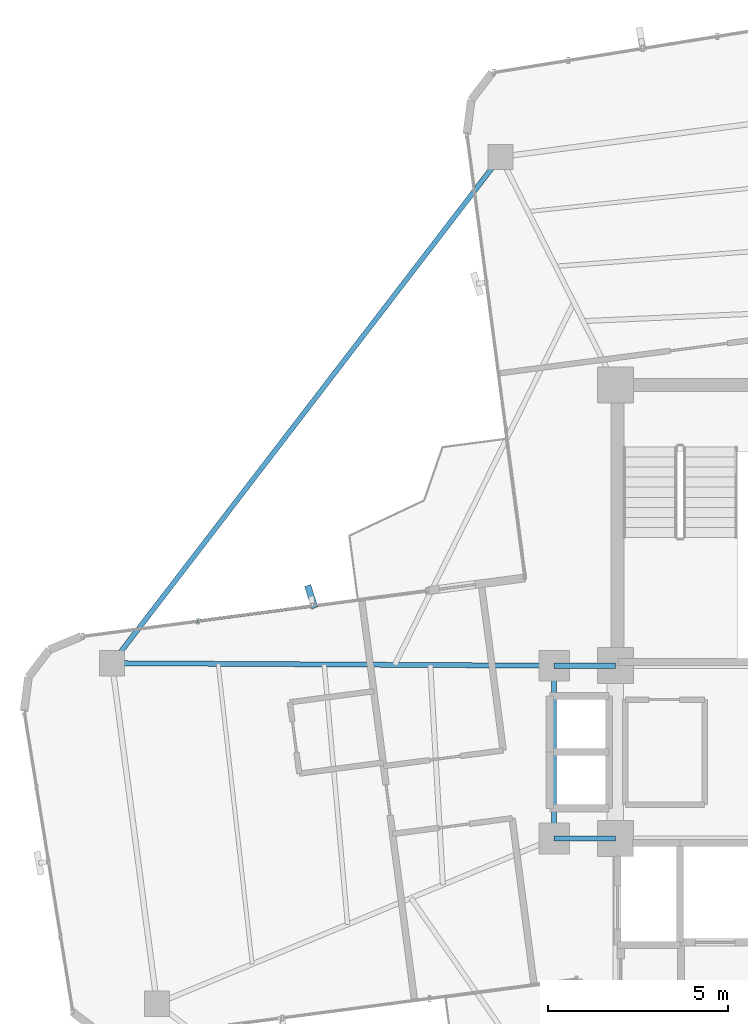
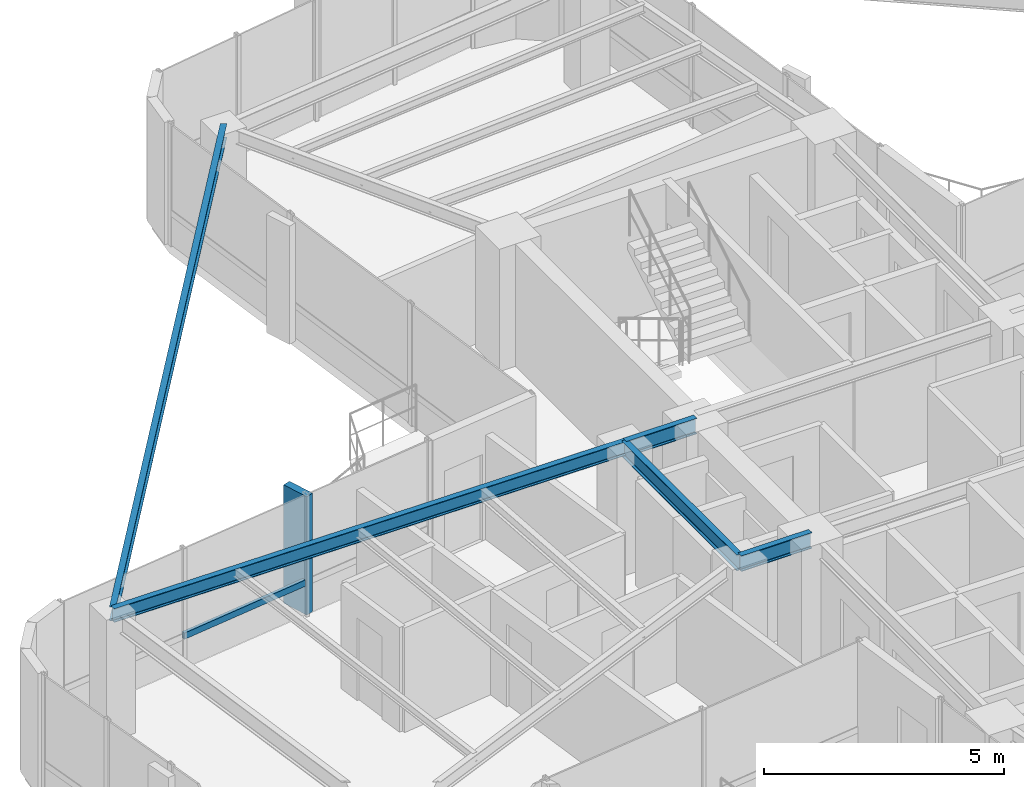
# One storey, part 8 of 22: 5 beams, 2 members, 1 element without a shape of its own.
"""IFC4 building model written with IfcOpenShell, lengths in metres."""

from ifc_helpers import new_model, si_unit, direction, frame, origin, origin_2d, place, context, subcontext, project, spatial, rectangle, hollow_rectangle, i_section, extrude, source, transform, mapped, material, material_profile, profile_set, type_object, element, aggregate, save


model = new_model("IFC4")

# Units and contexts
model_context = context("Model", 3, precision=1e-05, world=origin(), true_north=direction((0.0, 1.0)))
body_context = subcontext(model_context, "Body", "Model", "MODEL_VIEW")
ifc_project = project(units=[si_unit("LENGTHUNIT", "METRE"), si_unit("AREAUNIT", "SQUARE_METRE"), si_unit("VOLUMEUNIT", "CUBIC_METRE"), si_unit("PLANEANGLEUNIT", "RADIAN"), si_unit("MASSUNIT", "GRAM", prefix="KILO")], contexts=[model_context])

# Site, building, storey
site_placement = place(None, origin())
site = spatial("IfcSite", under=ifc_project, at=site_placement, CompositionType="ELEMENT")
building_placement = place(site_placement, origin())
building = spatial("IfcBuilding", under=site, at=building_placement, Name="Sahyath Konkavel Grand Hotel", CompositionType="ELEMENT")
storey_placement = place(building_placement, frame((0.0, 0.0, 241.14990234375)))
storey = spatial("IfcBuildingStorey", under=building, at=storey_placement, Name="L67", CompositionType="ELEMENT", Elevation=241.14990234375)

# Beams
ifc_material_1 = material(Name="Steel E350", Category="steel")
ifc_material_profile_1 = material_profile(ifc_material_1, i_section(OverallWidth=0.139892578125, OverallDepth=0.39990234375, WebThickness=0.0087890625, FlangeThickness=0.01611328125, FilletRadius=0.013916015625, at=origin_2d()), Name="ISMB 400")
ifc_profile_set_1 = profile_set([ifc_material_profile_1], Name="Steel E350")
beam_type_1 = type_object("IfcBeamType", Name="BM-ISMB400", PredefinedType="BEAM", material=ifc_profile_set_1)
shared_shape_1 = source(origin(), body_context, "Body", "SweptSolid", [
    extrude(i_section(OverallWidth=0.139892578125, OverallDepth=0.39990234375, WebThickness=0.0087890625, FlangeThickness=0.01611328125, FilletRadius=0.013916015625, at=origin_2d()), origin(), (0.0, 0.0, 1.0), 1.699951171875),
])
for number, where, z_axis, x_axis, name in (
    (1, (-5.5, 2.39990234375, 2.91015625), (1.0, 0.0, 0.0), (0.0, 1.0, 0.0), "str:bm:L67:HB-NW"),
    (2, (-5.5, -2.39990234375, 2.91015625), (1.0, 0.0, 0.0), (0.0, 1.0, 0.0), "str:bm:L67:HB-SW"),
):
    element("IfcBeam", number, at=place(storey_placement, frame(where, z_axis=z_axis, x_axis=x_axis)), inside=storey, type_object=beam_type_1, Name=name, PredefinedType="BEAM", context=body_context, shape_type="MappedRepresentation", body=[
        mapped(shared_shape_1, transform((0.0, 0.0, 0.0), scale=1.0)),
    ])
shared_shape_2 = source(origin(), body_context, "Body", "SweptSolid", [
    extrude(i_section(OverallWidth=0.139892578125, OverallDepth=0.39990234375, WebThickness=0.0087890625, FlangeThickness=0.01611328125, FilletRadius=0.013916015625, at=origin_2d()), origin(), (0.0, 0.0, 1.0), 4.7998046875),
])
beam_1_placement = place(storey_placement, frame((-5.5, -2.39990234375, 2.91015625), z_axis=(0.0, 1.0, 0.0), x_axis=(-1.0, 0.0, 0.0)))
element("IfcBeam", 3, at=beam_1_placement, inside=storey, type_object=beam_type_1, Name="str:bm:L67:HB-W", PredefinedType="BEAM", context=body_context, shape_type="MappedRepresentation", body=[
    mapped(shared_shape_2, transform((0.0, 0.0, 0.0), scale=1.0)),
])
ifc_material_profile_2 = material_profile(ifc_material_1, i_section(OverallWidth=0.139892578125, OverallDepth=0.35009765625, WebThickness=0.008056640625, FlangeThickness=0.01416015625, FilletRadius=0.013916015625, at=origin_2d()), Name="ISMB 350")
ifc_profile_set_2 = profile_set([ifc_material_profile_2], Name="Steel E350")
beam_type_2 = type_object("IfcBeamType", Name="BM-ISMB350", PredefinedType="BEAM", material=ifc_profile_set_2)
shared_shape_3 = source(origin(), body_context, "Body", "SweptSolid", [
    extrude(i_section(OverallWidth=0.139892578125, OverallDepth=0.35009765625, WebThickness=0.008056640625, FlangeThickness=0.01416015625, FilletRadius=0.013916015625, at=origin_2d()), origin(), (0.0, 0.0, 1.0), 12.281982421875),
])
beam_2_placement = place(storey_placement, frame((-5.5, 2.39990234375, 2.93505859375), z_axis=(-0.999983154451, 0.005804378824, 0.0), x_axis=(-0.005804378824, -0.999983154451, 0.0)))
element("IfcBeam", 4, at=beam_2_placement, inside=storey, type_object=beam_type_2, Name="L67 Cruciform Radial Girder WA", PredefinedType="BEAM", context=body_context, shape_type="MappedRepresentation", body=[
    mapped(shared_shape_3, transform((0.0, 0.0, 0.0), scale=1.0)),
])
shared_shape_4 = source(origin(), body_context, "Body", "SweptSolid", [
    extrude(i_section(OverallWidth=0.139892578125, OverallDepth=0.35009765625, WebThickness=0.008056640625, FlangeThickness=0.01416015625, FilletRadius=0.013916015625, at=origin_2d()), origin(), (0.0, 0.0, 1.0), 17.728515625),
])
beam_3_placement = place(storey_placement, frame((-6.9892578125, 16.5361328125, 2.93505859375), z_axis=(-0.608763961886, -0.79335139674, 0.0), x_axis=(0.79335139674, -0.608763961886, 0.0)))
element("IfcBeam", 5, at=beam_3_placement, inside=storey, type_object=beam_type_2, Name="L67 Re-Entrant Tie Beam NW", PredefinedType="BEAM", context=body_context, shape_type="MappedRepresentation", body=[
    mapped(shared_shape_4, transform((0.0, 0.0, 0.0), scale=1.0)),
])

# Curtain wall, members
ifc_material_2 = material(Name="Anodised Bronze Aluminium & Low-E Glazing", Category="aluminium")
curtain_wall_type = type_object("IfcCurtainWallType", Name="CW-ZONE4", PredefinedType="NOTDEFINED", material=ifc_material_2)
curtain_wall_placement = place(storey_placement, origin())
curtain_wall = element("IfcCurtainWall", 6, at=curtain_wall_placement, inside=storey, type_object=curtain_wall_type, Name="L67 Unitised Curtain Wall F16", PredefinedType="NOTDEFINED")
ifc_material_3 = material(Name="Warm Buff Sandstone Cladding on Concrete C50/60", Category="masonry")
ifc_material_profile_3 = material_profile(ifc_material_3, rectangle(XDim=0.179931640625, YDim=0.64990234375, at=origin_2d()), Name="FIN 180x650")
ifc_profile_set_3 = profile_set([ifc_material_profile_3], Name="Warm Buff Sandstone Cladding on Concrete C50/60")
member_type_1 = type_object("IfcMemberType", Name="FIN-SANDSTONE-650", PredefinedType="MULLION", material=ifc_profile_set_3)
shared_shape_5 = source(origin(), body_context, "Body", "SweptSolid", [
    extrude(rectangle(XDim=0.179931640625, YDim=0.64990234375, at=origin_2d()), origin(), (0.0, 0.0, 1.0), 3.010009765625),
])
member_1_placement = place(storey_placement, frame((-12.248291015625, 4.3193359375, 0.050048828125), z_axis=(0.0, 0.0, 1.0), x_axis=(0.952767550771, 0.303700500819, 0.0)))
member_1 = element("IfcMember", 7, at=member_1_placement, type_object=member_type_1, Name="L67 Sandstone Vertical Solar Fin FIN F16-1", PredefinedType="MULLION", context=body_context, shape_type="MappedRepresentation", body=[
    mapped(shared_shape_5, transform((0.0, 0.0, 0.0), scale=1.0)),
])
ifc_material_4 = material(Name="Anodised Bronze Aluminium", Category="aluminium")
ifc_material_profile_4 = material_profile(ifc_material_4, hollow_rectangle(XDim=0.080078125, YDim=0.159912109375, WallThickness=0.006103515625, at=origin_2d()), Name="RHS 160x80x6")
ifc_profile_set_4 = profile_set([ifc_material_profile_4], Name="Anodised Bronze Aluminium")
member_type_2 = type_object("IfcMemberType", Name="CW-TRN-160", PredefinedType="USERDEFINED", material=ifc_profile_set_4)
shared_shape_6 = source(origin(), body_context, "Body", "SweptSolid", [
    extrude(hollow_rectangle(XDim=0.080078125, YDim=0.159912109375, WallThickness=0.006103515625, at=origin_2d()), origin(), (0.0, 0.0, 1.0), 3.21875),
])
member_2_placement = place(storey_placement, frame((-12.21435546875, 4.0615234375, 0.85009765625), z_axis=(-0.991443190606, -0.130538882337, 0.0), x_axis=(0.130538882337, -0.991443190606, 0.0)))
member_2 = element("IfcMember", 8, at=member_2_placement, type_object=member_type_2, Name="L67 Curtain Wall Transom F16-1-spandrel", ObjectType="TRANSOM", PredefinedType="USERDEFINED", context=body_context, shape_type="MappedRepresentation", body=[
    mapped(shared_shape_6, transform((0.0, 0.0, 0.0), scale=1.0)),
])
aggregate(curtain_wall, [member_1, member_2])

save(model, "model.ifc")
